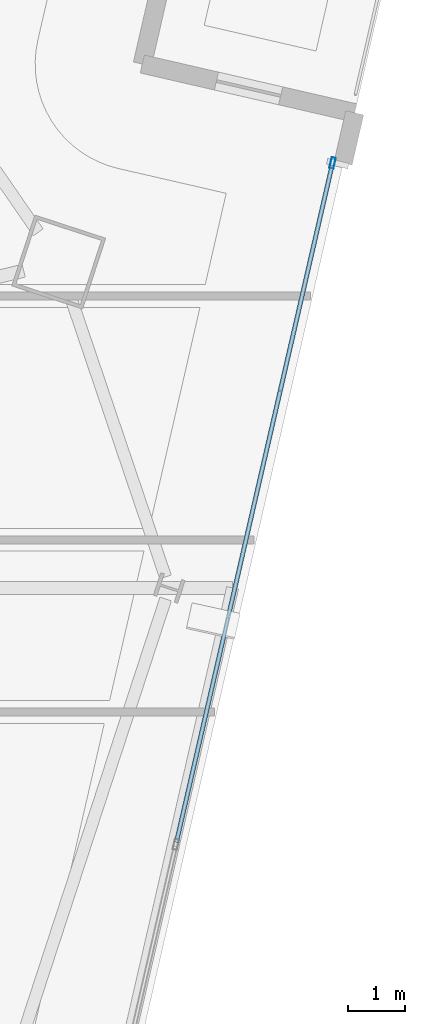
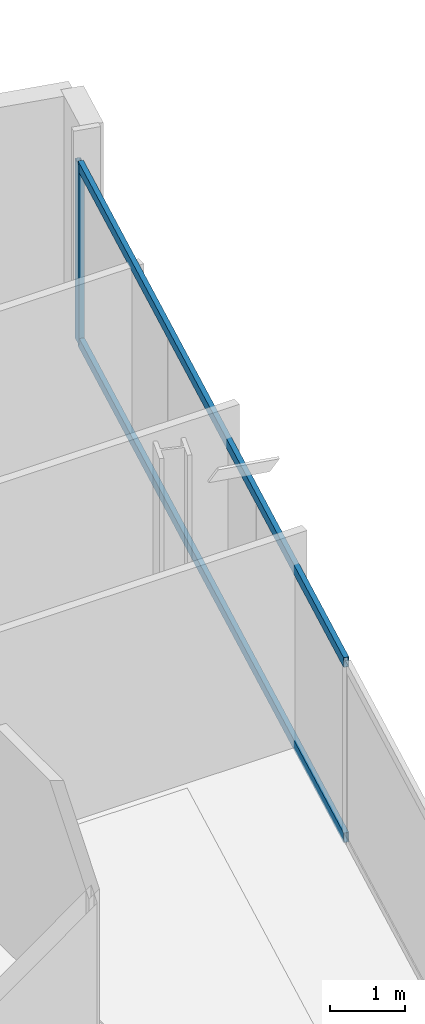
# One storey, part 18 of 28: 3 members, 1 element without a shape of its own.
"""IFC4 building model written with IfcOpenShell, lengths in metres."""

from ifc_helpers import new_model, si_unit, direction, frame, origin, origin_2d, place, context, subcontext, project, spatial, hollow_rectangle, extrude, material, material_profile, profile_set, type_object, element, aggregate, save


model = new_model("IFC4")

# Units and contexts
model_context = context("Model", 3, precision=1e-05, world=origin(), true_north=direction((0.0, 1.0)))
body_context = subcontext(model_context, "Body", "Model", "MODEL_VIEW")
ifc_project = project(units=[si_unit("LENGTHUNIT", "METRE"), si_unit("AREAUNIT", "SQUARE_METRE"), si_unit("VOLUMEUNIT", "CUBIC_METRE"), si_unit("PLANEANGLEUNIT", "RADIAN"), si_unit("MASSUNIT", "GRAM", prefix="KILO")], contexts=[model_context])

# Site, building, storey
site_placement = place(None, origin())
site = spatial("IfcSite", under=ifc_project, at=site_placement, CompositionType="ELEMENT")
building_placement = place(site_placement, origin())
building = spatial("IfcBuilding", under=site, at=building_placement, Name="Haldenkirk Collegiate Tower", CompositionType="ELEMENT")
storey_placement = place(building_placement, frame((0.0, 0.0, 286.199951171875)))
storey = spatial("IfcBuildingStorey", under=building, at=storey_placement, Name="L72", CompositionType="ELEMENT", Elevation=286.199951171875)

# Curtain wall, members
ifc_material = material(Name="Anodised architectural bronze aluminium", Category="aluminium")
curtain_wall_type = type_object("IfcCurtainWallType", Name="CW-SYS2-CONCAVE", PredefinedType="USERDEFINED", material=ifc_material)
curtain_wall_placement = place(storey_placement, origin())
curtain_wall = element("IfcCurtainWall", 1, at=curtain_wall_placement, inside=storey, type_object=curtain_wall_type, Name="L72 South concave recessed bronze-anodised curtain wall", ObjectType="UNITISED CURTAIN WALL", PredefinedType="USERDEFINED")
ifc_material_profile_1 = material_profile(ifc_material, hollow_rectangle(XDim=0.074951171875, YDim=0.18994140625, WallThickness=0.0048828125, at=origin_2d()), Name="CW-MUL-02")
ifc_profile_set_1 = profile_set([ifc_material_profile_1], Name="Anodised architectural bronze aluminium")
member_type_1 = type_object("IfcMemberType", Name="CW-MUL-02", PredefinedType="MULLION", material=ifc_profile_set_1)
member_1_placement = place(storey_placement, frame((62.1728515625, 38.77197265625, 0.0), z_axis=(0.0, 0.0, 1.0), x_axis=(0.974566006497, -0.224100644756, 0.0)))
member_1 = element("IfcMember", 2, at=member_1_placement, type_object=member_type_1, Name="CW-02 mullion 1", PredefinedType="MULLION", context=body_context, shape_type="SweptSolid", body=[
    extrude(hollow_rectangle(XDim=0.074951171875, YDim=0.18994140625, WallThickness=0.0048828125, at=origin_2d()), origin(), (0.0, 0.0, 1.0), 2.93798828125),
])
ifc_material_profile_2 = material_profile(ifc_material, hollow_rectangle(XDim=0.074951171875, YDim=0.159912109375, WallThickness=0.0048828125, at=origin_2d()), Name="CW-TRN-02")
ifc_profile_set_2 = profile_set([ifc_material_profile_2], Name="Anodised architectural bronze aluminium")
member_type_2 = type_object("IfcMemberType", Name="CW-TRN-02", PredefinedType="USERDEFINED", material=ifc_profile_set_2)
member_2_placement = place(storey_placement, frame((62.16455078125, 38.7353515625, 0.03759765625), z_axis=(-0.224103310361, -0.97456539354, 0.0), x_axis=(0.97456539354, -0.224103310361, 0.0)))
member_2 = element("IfcMember", 3, at=member_2_placement, type_object=member_type_2, Name="CW-02 transom 1.1", ObjectType="TRANSOM", PredefinedType="USERDEFINED", context=body_context, shape_type="SweptSolid", body=[
    extrude(hollow_rectangle(XDim=0.074951171875, YDim=0.159912109375, WallThickness=0.0048828125, at=origin_2d()), origin(), (0.0, 0.0, 1.0), 12.120849609375),
])
member_3_placement = place(storey_placement, frame((62.16455078125, 38.7353515625, 2.900634765625), z_axis=(-0.224103310361, -0.97456539354, 0.0), x_axis=(0.97456539354, -0.224103310361, 0.0)))
member_3 = element("IfcMember", 4, at=member_3_placement, type_object=member_type_2, Name="CW-02 transom 1.2", ObjectType="TRANSOM", PredefinedType="USERDEFINED", context=body_context, shape_type="SweptSolid", body=[
    extrude(hollow_rectangle(XDim=0.074951171875, YDim=0.159912109375, WallThickness=0.0048828125, at=origin_2d()), origin(), (0.0, 0.0, 1.0), 12.120849609375),
])
aggregate(curtain_wall, [member_1, member_2, member_3])

save(model, "model.ifc")
